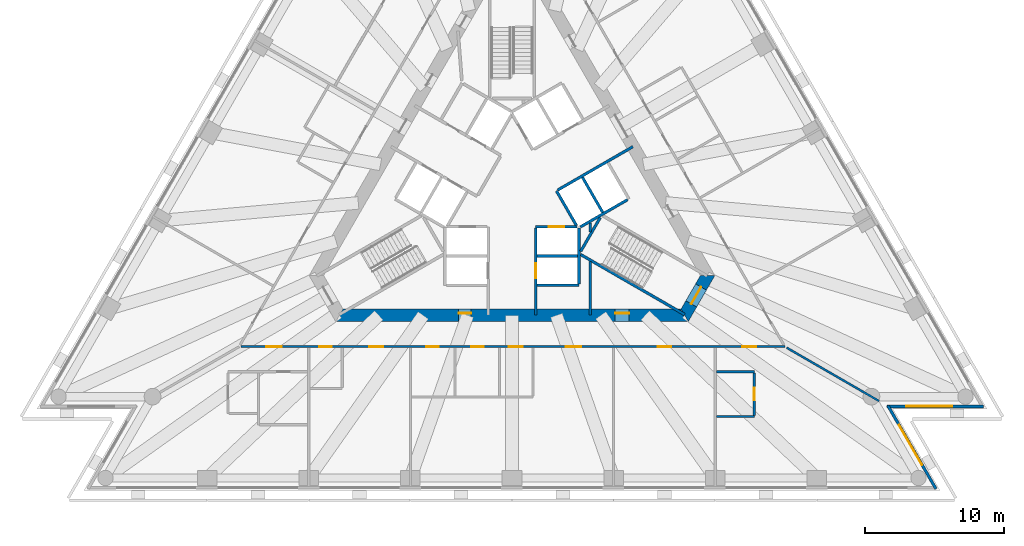
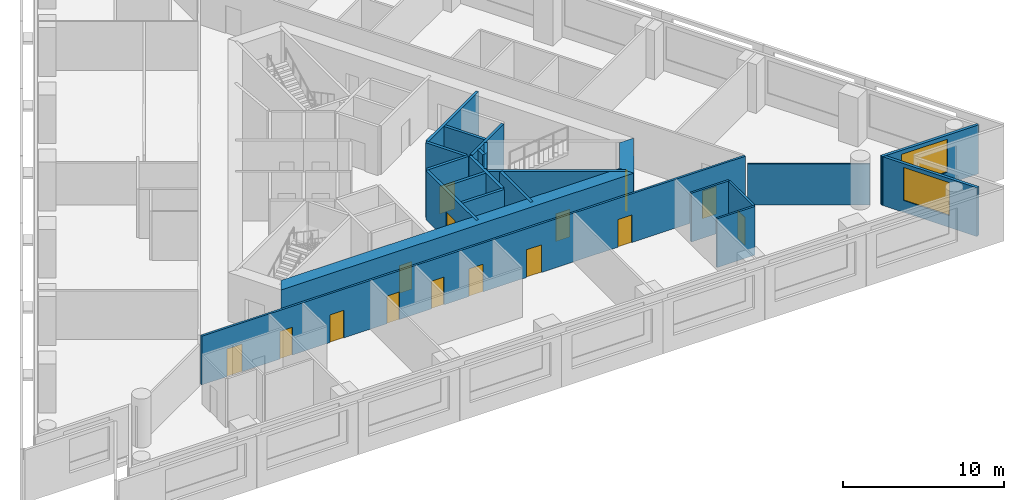
# One storey, part 5 of 11: 22 walls, 15 doors, 2 windows, 17 openings.
"""IFC4 building model written with IfcOpenShell, lengths in metres."""

from ifc_helpers import new_model, si_unit, direction, frame, frame_2d, origin, place, context, subcontext, project, spatial, polyline, rectangle, outline, extrude, material, layer, layer_set, layer_usage, type_object, element, fill, save


model = new_model("IFC4")

# Units and contexts
model_context = context("Model", 3, precision=1e-05, world=origin(), true_north=direction((0.0, 1.0)))
body_context = subcontext(model_context, "Body", "Model", "MODEL_VIEW")
ifc_project = project(units=[si_unit("LENGTHUNIT", "METRE"), si_unit("AREAUNIT", "SQUARE_METRE"), si_unit("VOLUMEUNIT", "CUBIC_METRE"), si_unit("PLANEANGLEUNIT", "RADIAN"), si_unit("MASSUNIT", "GRAM", prefix="KILO")], contexts=[model_context])

# Site, building, storey
site_placement = place(None, origin())
site = spatial("IfcSite", under=ifc_project, at=site_placement, CompositionType="ELEMENT")
building_placement = place(site_placement, origin())
building = spatial("IfcBuilding", under=site, at=building_placement, Name="Triada Interchange Tower", CompositionType="ELEMENT")
storey_placement = place(building_placement, frame((0.0, 0.0, 79.300048828125)))
storey = spatial("IfcBuildingStorey", under=building, at=storey_placement, Name="L17", CompositionType="ELEMENT", Elevation=79.300048828125)

# Walls
ifc_material_1 = material(Name="Concrete C30/37", Category="concrete")
ifc_layer_1 = layer(ifc_material_1, 0.199951171875)
ifc_layer_set_1 = layer_set([ifc_layer_1], Name="CORE WALL 200 EI 120")
wall_type_1 = type_object("IfcWallType", Name="CORE WALL 200 EI 120", PredefinedType="SOLIDWALL", material=ifc_layer_set_1)
wall_1_placement = place(storey_placement, frame((1.800048828125, -4.800048828125, 0.0), z_axis=(0.0, 0.0, 1.0), x_axis=(1.0, 0.0, 0.0)))
element("IfcWall", 1, at=wall_1_placement, inside=storey, type_object=wall_type_1, Name="Wall L15 55", PredefinedType="SOLIDWALL", context=body_context, shape_type="SweptSolid", body=[
    extrude(rectangle(XDim=2.89990234375, YDim=0.199951171875, at=frame_2d((1.449951171875, 0.0))), origin(), (0.0, 0.0, 1.0), 3.699951171875),
])
wall_2_placement = place(storey_placement, frame((1.800048828125, -6.89990234375, 0.0), z_axis=(0.0, 0.0, 1.0), x_axis=(1.0, 0.0, 0.0)))
element("IfcWall", 2, at=wall_2_placement, inside=storey, type_object=wall_type_1, Name="Wall L15 58", PredefinedType="SOLIDWALL", context=body_context, shape_type="SweptSolid", body=[
    extrude(rectangle(XDim=3.0, YDim=0.199951171875, at=frame_2d((1.5, 0.0))), origin(), (0.0, 0.0, 1.0), 3.699951171875),
])

# Wall, opening, door
wall_3_placement = place(storey_placement, frame((1.702880859375, -2.699951171875, 0.0), z_axis=(0.0, 0.0, 1.0), x_axis=(1.0, 0.0, 0.0)))
wall_3 = element("IfcWall", 3, at=wall_3_placement, inside=storey, type_object=wall_type_1, Name="Wall L15 61", PredefinedType="SOLIDWALL", context=body_context, shape_type="SweptSolid", body=[
    extrude(rectangle(XDim=2.97314453125, YDim=0.199951171875, at=frame_2d((1.486572265625, 0.0))), origin(), (0.0, 0.0, 1.0), 3.699951171875),
])
opening_1_placement = place(wall_3_placement, frame((0.93603515625, 0.0, 0.0)))
opening_1 = element("IfcOpeningElement", 4, at=opening_1_placement, cuts=wall_3, Name="Opening LD-LR1", PredefinedType="OPENING", context=body_context, shape_type="SweptSolid", body=[
    extrude(rectangle(XDim=1.10009765625, YDim=2.10009765625, at=frame_2d((0.550048828125, 1.050048828125))), frame((0.0, 0.10986328125, 0.0), z_axis=(0.0, -1.0, 0.0), x_axis=(1.0, 0.0, 0.0)), (0.0, 0.0, 1.0), 0.219970703125),
])
ifc_material_2 = material(Name="Steel S235 door leaf", Category="steel")
door_type_1 = type_object("IfcDoorType", Name="LIFT LANDING DOOR 1100 EI 120", OperationType="SLIDING_TO_LEFT", PredefinedType="DOOR", material=ifc_material_2)
door_1_placement = place(opening_1_placement, origin())
door_1 = element("IfcDoor", 5, at=door_1_placement, inside=storey, type_object=door_type_1, Name="LR1 landing door L17", OperationType="SLIDING_TO_LEFT", OverallHeight=2.10009765625, OverallWidth=1.10009765625, PredefinedType="DOOR", context=body_context, shape_type="SweptSolid", body=[
    extrude(rectangle(XDim=1.10009765625, YDim=2.10009765625, at=frame_2d((0.550048828125, 1.050048828125))), frame((0.0, 0.02490234375, 0.0), z_axis=(0.0, -1.0, 0.0), x_axis=(1.0, 0.0, 0.0)), (0.0, 0.0, 1.0), 0.050048828125),
])
fill(opening_1, door_1)

# Wall
wall_4_placement = place(storey_placement, frame((3.18994140625, -0.125, 0.0), z_axis=(0.0, 0.0, 1.0), x_axis=(0.499988658015, -0.866031951983, 0.0)))
element("IfcWall", 6, at=wall_4_placement, inside=storey, type_object=wall_type_1, Name="Wall L15 64", PredefinedType="SOLIDWALL", context=body_context, shape_type="SweptSolid", body=[
    extrude(rectangle(XDim=2.85791015625, YDim=0.199951171875, at=frame_2d((1.428955078125, 0.0))), origin(), (0.0, 0.0, 1.0), 3.699951171875),
])

# Wall, opening, door
wall_5_placement = place(storey_placement, frame((1.699951171875, -9.030029296875, 0.0), z_axis=(0.0, 0.0, 1.0), x_axis=(0.0, 1.0, 0.0)))
wall_5 = element("IfcWall", 7, at=wall_5_placement, inside=storey, type_object=wall_type_1, Name="Wall L15 66", PredefinedType="SOLIDWALL", context=body_context, shape_type="SweptSolid", body=[
    extrude(rectangle(XDim=6.22705078125, YDim=0.199951171875, at=frame_2d((3.113525390625, 0.0))), origin(), (0.0, 0.0, 1.0), 3.699951171875),
])
opening_2_placement = place(wall_5_placement, frame((2.6298828125, 0.0, 0.0)))
opening_2 = element("IfcOpeningElement", 8, at=opening_2_placement, cuts=wall_5, Name="Opening LD-LR2", PredefinedType="OPENING", context=body_context, shape_type="SweptSolid", body=[
    extrude(rectangle(XDim=1.10009765625, YDim=2.10009765625, at=frame_2d((0.550048828125, 1.050048828125))), frame((0.0, 0.10986328125, 0.0), z_axis=(0.0, -1.0, 0.0), x_axis=(1.0, 0.0, 0.0)), (0.0, 0.0, 1.0), 0.219970703125),
])
door_2_placement = place(opening_2_placement, origin())
door_2 = element("IfcDoor", 9, at=door_2_placement, inside=storey, type_object=door_type_1, Name="LR2 landing door L17", OperationType="SLIDING_TO_LEFT", OverallHeight=2.10009765625, OverallWidth=1.10009765625, PredefinedType="DOOR", context=body_context, shape_type="SweptSolid", body=[
    extrude(rectangle(XDim=1.10009765625, YDim=2.10009765625, at=frame_2d((0.550048828125, 1.050048828125))), frame((0.0, 0.02490234375, 0.0), z_axis=(0.0, -1.0, 0.0), x_axis=(1.0, 0.0, 0.0)), (0.0, 0.0, 1.0), 0.050048828125),
])
fill(opening_2, door_2)

# Walls
wall_6_placement = place(storey_placement, frame((4.800048828125, -6.800048828125, 0.0), z_axis=(0.0, 0.0, 1.0), x_axis=(0.0, 1.0, 0.0)))
element("IfcWall", 10, at=wall_6_placement, inside=storey, type_object=wall_type_1, Name="Wall L15 67", PredefinedType="SOLIDWALL", context=body_context, shape_type="SweptSolid", body=[
    extrude(rectangle(XDim=4.029052734375, YDim=0.199951171875, at=frame_2d((2.0146484375, 0.0))), origin(), (0.0, 0.0, 1.0), 3.699951171875),
])
wall_7_placement = place(storey_placement, frame((3.278076171875, -0.071044921875, 0.0), z_axis=(0.0, 0.0, 1.0), x_axis=(0.865953757655, 0.500124074208, 0.0)))
element("IfcWall", 11, at=wall_7_placement, inside=storey, type_object=wall_type_1, Name="Wall L15 68", PredefinedType="SOLIDWALL", context=body_context, shape_type="SweptSolid", body=[
    extrude(rectangle(XDim=6.2265625, YDim=0.199951171875, at=frame_2d((3.11328125, 0.0))), origin(), (0.0, 0.0, 1.0), 3.699951171875),
])
wall_8_placement = place(storey_placement, frame((5.056884765625, 0.841064453125, 0.0), z_axis=(0.0, 0.0, 1.0), x_axis=(0.50012328804, -0.865954211699, 0.0)))
element("IfcWall", 12, at=wall_8_placement, inside=storey, type_object=wall_type_1, Name="Wall L15 72", PredefinedType="SOLIDWALL", context=body_context, shape_type="SweptSolid", body=[
    extrude(rectangle(XDim=2.899658203125, YDim=0.199951171875, at=frame_2d((1.44970703125, 0.0))), origin(), (0.0, 0.0, 1.0), 3.699951171875),
])
wall_9_placement = place(storey_placement, frame((4.89990234375, -2.714111328125, 0.0), z_axis=(0.0, 0.0, 1.0), x_axis=(0.865992350556, 0.500057245502, 0.0)))
element("IfcWall", 13, at=wall_9_placement, inside=storey, type_object=wall_type_1, Name="Wall L15 73", PredefinedType="SOLIDWALL", context=body_context, shape_type="SweptSolid", body=[
    extrude(rectangle(XDim=3.91357421875, YDim=0.199951171875, at=frame_2d((1.956787109375, 0.0))), origin(), (0.0, 0.0, 1.0), 3.699951171875),
])
ifc_layer_2 = layer(ifc_material_1, 0.199951171875)
ifc_layer_set_2 = layer_set([ifc_layer_2], Name="CORE WALL 200 EI 90")
wall_type_2 = type_object("IfcWallType", Name="CORE WALL 200 EI 90", PredefinedType="SOLIDWALL", material=ifc_layer_set_2)
wall_10_placement = place(storey_placement, frame((5.612060546875, -9.030029296875, 0.0), z_axis=(0.0, 0.0, 1.0), x_axis=(0.0, 1.0, 0.0)))
element("IfcWall", 14, at=wall_10_placement, inside=storey, type_object=wall_type_2, Name="Wall L15 91", PredefinedType="SOLIDWALL", context=body_context, shape_type="SweptSolid", body=[
    extrude(rectangle(XDim=3.8271484375, YDim=0.199951171875, at=frame_2d((1.91357421875, 0.0))), origin(), (0.0, 0.0, 1.0), 3.699951171875),
])
wall_11_placement = place(storey_placement, frame((5.612060546875, -3.080078125, 0.0), z_axis=(0.0, 0.0, 1.0), x_axis=(0.0, 1.0, 0.0)))
element("IfcWall", 15, at=wall_11_placement, inside=storey, type_object=wall_type_2, Name="Wall L15 92", PredefinedType="SOLIDWALL", context=body_context, shape_type="SweptSolid", body=[
    extrude(rectangle(XDim=0.662109375, YDim=0.199951171875, at=frame_2d((0.3310546875, 0.0))), origin(), (0.0, 0.0, 1.0), 3.699951171875),
])
ifc_layer_3 = layer(ifc_material_1, 0.199951171875)
ifc_layer_set_3 = layer_set([ifc_layer_3], Name="CORE WALL 200 REI 240")
wall_type_3 = type_object("IfcWallType", Name="CORE WALL 200 REI 240", PredefinedType="SOLIDWALL", material=ifc_layer_set_3)
wall_12_placement = place(storey_placement, frame((4.928955078125, -4.693115234375, 0.0), z_axis=(0.0, 0.0, 1.0), x_axis=(0.866010975815, -0.500024989144, 0.0)))
element("IfcWall", 16, at=wall_12_placement, inside=storey, type_object=wall_type_3, Name="Wall L15 99", PredefinedType="SOLIDWALL", context=body_context, shape_type="SweptSolid", body=[
    extrude(rectangle(XDim=8.615234375, YDim=0.199951171875, at=frame_2d((4.3076171875, 0.0))), origin(), (0.0, 0.0, 1.0), 3.699951171875),
])
wall_13_placement = place(storey_placement, frame((4.928955078125, -4.4619140625, 0.0), z_axis=(0.0, 0.0, 1.0), x_axis=(0.500200581029, 0.865909567298, 0.0)))
element("IfcWall", 17, at=wall_13_placement, inside=storey, type_object=wall_type_3, Name="Wall L15 100", PredefinedType="SOLIDWALL", context=body_context, shape_type="SweptSolid", body=[
    extrude(rectangle(XDim=2.799072265625, YDim=0.199951171875, at=frame_2d((1.3994140625, 0.0))), origin(), (0.0, 0.0, 1.0), 3.699951171875),
])

# Wall, openings, doors
ifc_material_3 = material(Name="Concrete C70/85", Category="concrete")
ifc_layer_4 = layer(ifc_material_3, 0.89990234375)
ifc_layer_set_4 = layer_set([ifc_layer_4], Name="Core wall A 900")
wall_type_4 = type_object("IfcWallType", Name="Core wall A 900", PredefinedType="SHEAR", material=ifc_layer_set_4)
wall_14_placement = place(storey_placement, frame((-12.384033203125, -9.050048828125, -0.300048828125), z_axis=(0.0, 0.0, 1.0), x_axis=(1.0, 0.0, 0.0)))
wall_14 = element("IfcWall", 18, at=wall_14_placement, inside=storey, type_object=wall_type_4, Name="Core wall WA04 L17", PredefinedType="SHEAR", context=body_context, shape_type="SweptSolid", body=[
    extrude(outline(polyline([(-0.260009765625, -0.449951171875), (1.685302734375, -0.449951171875), (3.63037109375, -0.449951171875), (5.57568359375, -0.449951171875), (7.52099609375, -0.449951171875), (9.466064453125, -0.449951171875), (11.411376953125, -0.449951171875), (13.356689453125, -0.449951171875), (15.302001953125, -0.449951171875), (17.2470703125, -0.449951171875), (19.1923828125, -0.449951171875), (21.1376953125, -0.449951171875), (23.082763671875, -0.449951171875), (25.028076171875, -0.449951171875), (24.508056640625, 0.449951171875), (22.642822265625, 0.449951171875), (20.777587890625, 0.449951171875), (18.912353515625, 0.449951171875), (17.047119140625, 0.449951171875), (15.181884765625, 0.449951171875), (13.316650390625, 0.449951171875), (11.451416015625, 0.449951171875), (9.586181640625, 0.449951171875), (7.720947265625, 0.449951171875), (5.855712890625, 0.449951171875), (3.990478515625, 0.449951171875), (2.125244140625, 0.449951171875), (0.260009765625, 0.449951171875), (-0.260009765625, -0.449951171875)])), origin(), (0.0, 0.0, 1.0), 4.0),
])
opening_3_placement = place(wall_14_placement, frame((8.548095703125, 0.0, 0.300048828125)))
opening_3 = element("IfcOpeningElement", 19, at=opening_3_placement, cuts=wall_14, Name="Opening D15-48", PredefinedType="OPENING", context=body_context, shape_type="SweptSolid", body=[
    extrude(rectangle(XDim=0.89990234375, YDim=2.10009765625, at=frame_2d((0.449951171875, 1.050048828125))), frame((0.0, 0.4599609375, 0.0), z_axis=(0.0, -1.0, 0.0), x_axis=(1.0, 0.0, 0.0)), (0.0, 0.0, 1.0), 0.919921875),
])
opening_4_placement = place(wall_14_placement, frame((19.7880859375, 0.0, 0.300048828125)))
opening_4 = element("IfcOpeningElement", 20, at=opening_4_placement, cuts=wall_14, Name="Opening D15-49", PredefinedType="OPENING", context=body_context, shape_type="SweptSolid", body=[
    extrude(rectangle(XDim=1.0, YDim=2.10009765625, at=frame_2d((0.5, 1.050048828125))), frame((0.0, 0.4599609375, 0.0), z_axis=(0.0, -1.0, 0.0), x_axis=(1.0, 0.0, 0.0)), (0.0, 0.0, 1.0), 0.919921875),
])
door_type_2 = type_object("IfcDoorType", Name="SERVICE DOOR 1000 EI2 45-C5S200", OperationType="NOTDEFINED", PredefinedType="DOOR", material=ifc_material_2)
door_3_placement = place(opening_4_placement, origin())
door_3 = element("IfcDoor", 21, at=door_3_placement, inside=storey, type_object=door_type_2, Name="Door D15-49 L17", OperationType="SINGLE_SWING_LEFT", OverallHeight=2.10009765625, OverallWidth=1.0, PredefinedType="DOOR", context=body_context, shape_type="SweptSolid", body=[
    extrude(rectangle(XDim=1.0, YDim=2.10009765625, at=frame_2d((0.5, 1.050048828125))), frame((0.0, 0.1748046875, 0.0), z_axis=(0.0, -1.0, 0.0), x_axis=(1.0, 0.0, 0.0)), (0.0, 0.0, 1.0), 0.050048828125),
])
fill(opening_4, door_3)
door_type_3 = type_object("IfcDoorType", Name="SERVICE DOOR 900 EI2 45-C5S200", OperationType="NOTDEFINED", PredefinedType="DOOR", material=ifc_material_2)
door_4_placement = place(opening_3_placement, origin())
door_4 = element("IfcDoor", 22, at=door_4_placement, inside=storey, type_object=door_type_3, Name="Door D15-48 L17", OperationType="SINGLE_SWING_LEFT", OverallHeight=2.10009765625, OverallWidth=0.89990234375, PredefinedType="DOOR", context=body_context, shape_type="SweptSolid", body=[
    extrude(rectangle(XDim=0.89990234375, YDim=2.10009765625, at=frame_2d((0.449951171875, 1.050048828125))), frame((0.0, 0.1748046875, 0.0), z_axis=(0.0, -1.0, 0.0), x_axis=(1.0, 0.0, 0.0)), (0.0, 0.0, 1.0), 0.050048828125),
])
fill(opening_3, door_4)

# Wall, opening, door
wall_15_placement = place(storey_placement, frame((12.384033203125, -9.050048828125, -0.300048828125), z_axis=(0.0, 0.0, 1.0), x_axis=(0.500111984565, 0.865960739811, 0.0)))
wall_15 = element("IfcWall", 23, at=wall_15_placement, inside=storey, type_object=wall_type_4, Name="Core wall WA05 L17", PredefinedType="SHEAR", context=body_context, shape_type="SweptSolid", body=[
    extrude(outline(polyline([(-0.260009765625, -0.449951171875), (1.6455078125, -0.449462890625), (3.551025390625, -0.448974609375), (3.031005859375, 0.449951171875), (1.6455078125, 0.449951171875), (0.260009765625, 0.449951171875), (-0.260009765625, -0.449951171875)])), origin(), (0.0, 0.0, 1.0), 4.0),
])
opening_5_placement = place(wall_15_placement, frame((0.946044921875, 0.0, 0.300048828125)))
opening_5 = element("IfcOpeningElement", 24, at=opening_5_placement, cuts=wall_15, Name="Opening D15-46", PredefinedType="OPENING", context=body_context, shape_type="SweptSolid", body=[
    extrude(rectangle(XDim=1.39990234375, YDim=2.10009765625, at=frame_2d((0.699951171875, 1.050048828125))), frame((0.0, 0.4599609375, 0.0), z_axis=(0.0, -1.0, 0.0), x_axis=(1.0, 0.0, 0.0)), (0.0, 0.0, 1.0), 0.919921875),
])
door_type_4 = type_object("IfcDoorType", Name="STAIR DOOR 1400 EI2 90-C5S200", OperationType="DOUBLE_DOOR_SINGLE_SWING", PredefinedType="DOOR", material=ifc_material_2)
door_5_placement = place(opening_5_placement, origin())
door_5 = element("IfcDoor", 25, at=door_5_placement, inside=storey, type_object=door_type_4, Name="Door D15-46 L17", OperationType="DOUBLE_DOOR_SINGLE_SWING", OverallHeight=2.10009765625, OverallWidth=1.39990234375, PredefinedType="DOOR", context=body_context, shape_type="SweptSolid", body=[
    extrude(rectangle(XDim=1.39990234375, YDim=2.10009765625, at=frame_2d((0.699951171875, 1.050048828125))), frame((0.0, 0.02490234375, 0.0), z_axis=(0.0, -1.0, 0.0), x_axis=(1.0, 0.0, 0.0)), (0.0, 0.0, 1.0), 0.050048828125),
])
fill(opening_5, door_5)

# Wall, opening, window
ifc_material_4 = material(Name="Cement board")
ifc_layer_5 = layer(ifc_material_4, 0.02001953125, Name="Cement board cladding")
ifc_material_5 = material(Name="Sheathing board")
ifc_layer_6 = layer(ifc_material_5, 0.014892578125, Name="Sheathing board")
ifc_material_6 = material(Name="Mineral wool")
ifc_layer_7 = layer(ifc_material_6, 0.14990234375, Name="Mineral wool between steel studs")
ifc_material_7 = material(Name="Gypsum board")
ifc_layer_8 = layer(ifc_material_7, 0.014892578125, Name="Plasterboard lining")
ifc_layer_set_5 = layer_set([ifc_layer_5, ifc_layer_6, ifc_layer_7, ifc_layer_8], Name="External wall 200")
ifc_layer_usage = layer_usage(ifc_layer_set_5, "AXIS2", "POSITIVE", -0.10009765625)
wall_type_5 = type_object("IfcWallType", Name="External wall 200", PredefinedType="ELEMENTEDWALL", material=ifc_layer_set_5)
wall_16_placement = place(storey_placement, frame((30.407958984375, -21.5, 0.0), z_axis=(0.0, 0.0, 1.0), x_axis=(-0.499902111801, 0.866081912187, 0.0)))
wall_16 = element("IfcWall", 26, at=wall_16_placement, inside=storey, type_object=wall_type_5, material=ifc_layer_usage, Name="External wall L17 SE-1", PredefinedType="ELEMENTEDWALL", context=body_context, shape_type="SweptSolid", body=[
    extrude(rectangle(XDim=6.9013671875, YDim=0.199951171875, at=frame_2d((3.45068359375, 0.0))), origin(), (0.0, 0.0, 1.0), 3.699951171875),
])
opening_6_placement = place(wall_16_placement, frame((1.989990234375, 0.0, 0.89990234375)))
opening_6 = element("IfcOpeningElement", 27, at=opening_6_placement, cuts=wall_16, Name="Opening WA19", PredefinedType="OPENING", context=body_context, shape_type="SweptSolid", body=[
    extrude(rectangle(XDim=3.300048828125, YDim=2.5, at=frame_2d((1.64990234375, 1.25))), frame((0.0, 0.10986328125, 0.0), z_axis=(0.0, -1.0, 0.0), x_axis=(1.0, 0.0, 0.0)), (0.0, 0.0, 1.0), 0.219970703125),
])
ifc_material_8 = material(Name="Double glazed aluminium window", Category="aluminium")
window_type = type_object("IfcWindowType", Name="Ribbon window A pocket", PartitioningType="SINGLE_PANEL", PredefinedType="WINDOW", material=ifc_material_8)
window_1_placement = place(opening_6_placement, origin())
window_1 = element("IfcWindow", 28, at=window_1_placement, inside=storey, type_object=window_type, Name="Window L17 SE-1 1", OverallHeight=2.5, OverallWidth=3.300048828125, PartitioningType="SINGLE_PANEL", PredefinedType="WINDOW", context=body_context, shape_type="SweptSolid", body=[
    extrude(rectangle(XDim=3.300048828125, YDim=2.5, at=frame_2d((1.64990234375, 1.25))), frame((0.0, 0.030029296875, 0.0), z_axis=(0.0, -1.0, 0.0), x_axis=(1.0, 0.0, 0.0)), (0.0, 0.0, 1.0), 0.06005859375),
])
fill(opening_6, window_1)

wall_17_placement = place(storey_placement, frame((26.903076171875, -15.583984375, 0.0), z_axis=(0.0, 0.0, 1.0), x_axis=(1.0, 0.0, 0.0)))
wall_17 = element("IfcWall", 29, at=wall_17_placement, inside=storey, type_object=wall_type_5, material=ifc_layer_usage, Name="External wall L17 SE-2", PredefinedType="ELEMENTEDWALL", context=body_context, shape_type="SweptSolid", body=[
    extrude(rectangle(XDim=6.90087890625, YDim=0.199951171875, at=frame_2d((3.450439453125, 0.0))), origin(), (0.0, 0.0, 1.0), 3.699951171875),
])
opening_7_placement = place(wall_17_placement, frame((1.389892578125, 0.0, 0.89990234375)))
opening_7 = element("IfcOpeningElement", 30, at=opening_7_placement, cuts=wall_17, Name="Opening WA20", PredefinedType="OPENING", context=body_context, shape_type="SweptSolid", body=[
    extrude(rectangle(XDim=3.300048828125, YDim=2.5, at=frame_2d((1.64990234375, 1.25))), frame((0.0, 0.10986328125, 0.0), z_axis=(0.0, -1.0, 0.0), x_axis=(1.0, 0.0, 0.0)), (0.0, 0.0, 1.0), 0.219970703125),
])
window_2_placement = place(opening_7_placement, origin())
window_2 = element("IfcWindow", 31, at=window_2_placement, inside=storey, type_object=window_type, Name="Window L17 SE-2 1", OverallHeight=2.5, OverallWidth=3.300048828125, PartitioningType="SINGLE_PANEL", PredefinedType="WINDOW", context=body_context, shape_type="SweptSolid", body=[
    extrude(rectangle(XDim=3.300048828125, YDim=2.5, at=frame_2d((1.64990234375, 1.25))), frame((0.0, 0.030029296875, 0.0), z_axis=(0.0, -1.0, 0.0), x_axis=(1.0, 0.0, 0.0)), (0.0, 0.0, 1.0), 0.06005859375),
])
fill(opening_7, window_2)

# Wall, openings, doors
ifc_material_9 = material(Name="Gypsum board partition")
ifc_layer_9 = layer(ifc_material_9, 0.14990234375)
ifc_layer_set_6 = layer_set([ifc_layer_9], Name="PARTITION 150 EI 180")
wall_type_6 = type_object("IfcWallType", Name="PARTITION 150 EI 180", PredefinedType="PARTITIONING", material=ifc_layer_set_6)
wall_18_placement = place(storey_placement, frame((-19.422119140625, -11.300048828125, 0.0), z_axis=(0.0, 0.0, 1.0), x_axis=(1.0, 0.0, 0.0)))
wall_18 = element("IfcWall", 32, at=wall_18_placement, inside=storey, type_object=wall_type_6, Name="Wall L15 4", PredefinedType="PARTITIONING", context=body_context, shape_type="SweptSolid", body=[
    extrude(rectangle(XDim=38.994140625, YDim=0.14990234375, at=frame_2d((19.4970703125, 0.0))), origin(), (0.0, 0.0, 1.0), 3.699951171875),
])
opening_8_placement = place(wall_18_placement, frame((1.800048828125, 0.0, 0.0)))
opening_8 = element("IfcOpeningElement", 33, at=opening_8_placement, cuts=wall_18, Name="Opening D15-11", PredefinedType="OPENING", context=body_context, shape_type="SweptSolid", body=[
    extrude(rectangle(XDim=1.10009765625, YDim=2.10009765625, at=frame_2d((0.550048828125, 1.050048828125))), frame((0.0, 0.0849609375, 0.0), z_axis=(0.0, -1.0, 0.0), x_axis=(1.0, 0.0, 0.0)), (0.0, 0.0, 1.0), 0.169921875),
])
opening_9_placement = place(wall_18_placement, frame((9.197021484375, 0.0, 0.0)))
opening_9 = element("IfcOpeningElement", 34, at=opening_9_placement, cuts=wall_18, Name="Opening D15-14", PredefinedType="OPENING", context=body_context, shape_type="SweptSolid", body=[
    extrude(rectangle(XDim=1.0, YDim=2.10009765625, at=frame_2d((0.5, 1.050048828125))), frame((0.0, 0.0849609375, 0.0), z_axis=(0.0, -1.0, 0.0), x_axis=(1.0, 0.0, 0.0)), (0.0, 0.0, 1.0), 0.169921875),
])
opening_10_placement = place(wall_18_placement, frame((5.596923828125, 0.0, 0.0)))
opening_10 = element("IfcOpeningElement", 35, at=opening_10_placement, cuts=wall_18, Name="Opening D15-15", PredefinedType="OPENING", context=body_context, shape_type="SweptSolid", body=[
    extrude(rectangle(XDim=0.89990234375, YDim=2.10009765625, at=frame_2d((0.449951171875, 1.050048828125))), frame((0.0, 0.0849609375, 0.0), z_axis=(0.0, -1.0, 0.0), x_axis=(1.0, 0.0, 0.0)), (0.0, 0.0, 1.0), 0.169921875),
])
opening_11_placement = place(wall_18_placement, frame((23.283935546875, 0.0, 0.0)))
opening_11 = element("IfcOpeningElement", 36, at=opening_11_placement, cuts=wall_18, Name="Opening D15-16", PredefinedType="OPENING", context=body_context, shape_type="SweptSolid", body=[
    extrude(rectangle(XDim=1.10009765625, YDim=2.10009765625, at=frame_2d((0.550048828125, 1.050048828125))), frame((0.0, 0.0849609375, 0.0), z_axis=(0.0, -1.0, 0.0), x_axis=(1.0, 0.0, 0.0)), (0.0, 0.0, 1.0), 0.169921875),
])
opening_12_placement = place(wall_18_placement, frame((13.283935546875, 0.0, 0.0)))
opening_12 = element("IfcOpeningElement", 37, at=opening_12_placement, cuts=wall_18, Name="Opening D15-17", PredefinedType="OPENING", context=body_context, shape_type="SweptSolid", body=[
    extrude(rectangle(XDim=0.89990234375, YDim=2.10009765625, at=frame_2d((0.449951171875, 1.050048828125))), frame((0.0, 0.0849609375, 0.0), z_axis=(0.0, -1.0, 0.0), x_axis=(1.0, 0.0, 0.0)), (0.0, 0.0, 1.0), 0.169921875),
])
opening_13_placement = place(wall_18_placement, frame((16.48388671875, 0.0, 0.0)))
opening_13 = element("IfcOpeningElement", 38, at=opening_13_placement, cuts=wall_18, Name="Opening D15-18", PredefinedType="OPENING", context=body_context, shape_type="SweptSolid", body=[
    extrude(rectangle(XDim=0.89990234375, YDim=2.10009765625, at=frame_2d((0.449951171875, 1.050048828125))), frame((0.0, 0.0849609375, 0.0), z_axis=(0.0, -1.0, 0.0), x_axis=(1.0, 0.0, 0.0)), (0.0, 0.0, 1.0), 0.169921875),
])
opening_14_placement = place(wall_18_placement, frame((19.18408203125, 0.0, 0.0)))
opening_14 = element("IfcOpeningElement", 39, at=opening_14_placement, cuts=wall_18, Name="Opening D15-19", PredefinedType="OPENING", context=body_context, shape_type="SweptSolid", body=[
    extrude(rectangle(XDim=1.0, YDim=2.10009765625, at=frame_2d((0.5, 1.050048828125))), frame((0.0, 0.0849609375, 0.0), z_axis=(0.0, -1.0, 0.0), x_axis=(1.0, 0.0, 0.0)), (0.0, 0.0, 1.0), 0.169921875),
])
opening_15_placement = place(wall_18_placement, frame((29.860107421875, 0.0, 0.0)))
opening_15 = element("IfcOpeningElement", 40, at=opening_15_placement, cuts=wall_18, Name="Opening D15-20", PredefinedType="OPENING", context=body_context, shape_type="SweptSolid", body=[
    extrude(rectangle(XDim=1.0, YDim=2.10009765625, at=frame_2d((0.5, 1.050048828125))), frame((0.0, 0.0849609375, 0.0), z_axis=(0.0, -1.0, 0.0), x_axis=(1.0, 0.0, 0.0)), (0.0, 0.0, 1.0), 0.169921875),
])
opening_16_placement = place(wall_18_placement, frame((35.947021484375, 0.0, 0.0)))
opening_16 = element("IfcOpeningElement", 41, at=opening_16_placement, cuts=wall_18, Name="Opening D15-21", PredefinedType="OPENING", context=body_context, shape_type="SweptSolid", body=[
    extrude(rectangle(XDim=1.0, YDim=2.10009765625, at=frame_2d((0.5, 1.050048828125))), frame((0.0, 0.0849609375, 0.0), z_axis=(0.0, -1.0, 0.0), x_axis=(1.0, 0.0, 0.0)), (0.0, 0.0, 1.0), 0.169921875),
])
door_type_5 = type_object("IfcDoorType", Name="ROOM DOOR 1000 EI2 90-C5S200", OperationType="NOTDEFINED", PredefinedType="DOOR", material=ifc_material_2)
door_6_placement = place(opening_9_placement, origin())
door_6 = element("IfcDoor", 42, at=door_6_placement, inside=storey, type_object=door_type_5, Name="Door D15-14 L17", OperationType="SINGLE_SWING_RIGHT", OverallHeight=2.10009765625, OverallWidth=1.0, PredefinedType="DOOR", context=body_context, shape_type="SweptSolid", body=[
    extrude(rectangle(XDim=1.0, YDim=2.10009765625, at=frame_2d((0.5, 1.050048828125))), frame((0.0, 0.02490234375, 0.0), z_axis=(0.0, -1.0, 0.0), x_axis=(1.0, 0.0, 0.0)), (0.0, 0.0, 1.0), 0.050048828125),
])
fill(opening_9, door_6)
door_7_placement = place(opening_14_placement, origin())
door_7 = element("IfcDoor", 43, at=door_7_placement, inside=storey, type_object=door_type_5, Name="Door D15-19 L17", OperationType="SINGLE_SWING_LEFT", OverallHeight=2.10009765625, OverallWidth=1.0, PredefinedType="DOOR", context=body_context, shape_type="SweptSolid", body=[
    extrude(rectangle(XDim=1.0, YDim=2.10009765625, at=frame_2d((0.5, 1.050048828125))), frame((0.0, 0.02490234375, 0.0), z_axis=(0.0, -1.0, 0.0), x_axis=(1.0, 0.0, 0.0)), (0.0, 0.0, 1.0), 0.050048828125),
])
fill(opening_14, door_7)
door_8_placement = place(opening_15_placement, origin())
door_8 = element("IfcDoor", 44, at=door_8_placement, inside=storey, type_object=door_type_5, Name="Door D15-20 L17", OperationType="SINGLE_SWING_RIGHT", OverallHeight=2.10009765625, OverallWidth=1.0, PredefinedType="DOOR", context=body_context, shape_type="SweptSolid", body=[
    extrude(rectangle(XDim=1.0, YDim=2.10009765625, at=frame_2d((0.5, 1.050048828125))), frame((0.0, 0.02490234375, 0.0), z_axis=(0.0, -1.0, 0.0), x_axis=(1.0, 0.0, 0.0)), (0.0, 0.0, 1.0), 0.050048828125),
])
fill(opening_15, door_8)
door_9_placement = place(opening_16_placement, origin())
door_9 = element("IfcDoor", 45, at=door_9_placement, inside=storey, type_object=door_type_5, Name="Door D15-21 L17", OperationType="SINGLE_SWING_LEFT", OverallHeight=2.10009765625, OverallWidth=1.0, PredefinedType="DOOR", context=body_context, shape_type="SweptSolid", body=[
    extrude(rectangle(XDim=1.0, YDim=2.10009765625, at=frame_2d((0.5, 1.050048828125))), frame((0.0, 0.02490234375, 0.0), z_axis=(0.0, -1.0, 0.0), x_axis=(1.0, 0.0, 0.0)), (0.0, 0.0, 1.0), 0.050048828125),
])
fill(opening_16, door_9)
door_type_6 = type_object("IfcDoorType", Name="ROOM DOOR 900 EI2 90-C5S200", OperationType="NOTDEFINED", PredefinedType="DOOR", material=ifc_material_2)
door_10_placement = place(opening_12_placement, origin())
door_10 = element("IfcDoor", 46, at=door_10_placement, inside=storey, type_object=door_type_6, Name="Door D15-17 L17", OperationType="SINGLE_SWING_RIGHT", OverallHeight=2.10009765625, OverallWidth=0.89990234375, PredefinedType="DOOR", context=body_context, shape_type="SweptSolid", body=[
    extrude(rectangle(XDim=0.89990234375, YDim=2.10009765625, at=frame_2d((0.449951171875, 1.050048828125))), frame((0.0, 0.02490234375, 0.0), z_axis=(0.0, -1.0, 0.0), x_axis=(1.0, 0.0, 0.0)), (0.0, 0.0, 1.0), 0.050048828125),
])
fill(opening_12, door_10)
door_11_placement = place(opening_13_placement, origin())
door_11 = element("IfcDoor", 47, at=door_11_placement, inside=storey, type_object=door_type_6, Name="Door D15-18 L17", OperationType="SINGLE_SWING_RIGHT", OverallHeight=2.10009765625, OverallWidth=0.89990234375, PredefinedType="DOOR", context=body_context, shape_type="SweptSolid", body=[
    extrude(rectangle(XDim=0.89990234375, YDim=2.10009765625, at=frame_2d((0.449951171875, 1.050048828125))), frame((0.0, 0.02490234375, 0.0), z_axis=(0.0, -1.0, 0.0), x_axis=(1.0, 0.0, 0.0)), (0.0, 0.0, 1.0), 0.050048828125),
])
fill(opening_13, door_11)
door_type_7 = type_object("IfcDoorType", Name="SERVICE DOOR 900 EI2 90-C5S200", OperationType="NOTDEFINED", PredefinedType="DOOR", material=ifc_material_2)
door_12_placement = place(opening_10_placement, origin())
door_12 = element("IfcDoor", 48, at=door_12_placement, inside=storey, type_object=door_type_7, Name="Door D15-15 L17", OperationType="SINGLE_SWING_RIGHT", OverallHeight=2.10009765625, OverallWidth=0.89990234375, PredefinedType="DOOR", context=body_context, shape_type="SweptSolid", body=[
    extrude(rectangle(XDim=0.89990234375, YDim=2.10009765625, at=frame_2d((0.449951171875, 1.050048828125))), frame((0.0, 0.02490234375, 0.0), z_axis=(0.0, -1.0, 0.0), x_axis=(1.0, 0.0, 0.0)), (0.0, 0.0, 1.0), 0.050048828125),
])
fill(opening_10, door_12)
door_type_8 = type_object("IfcDoorType", Name="TENANCY ENTRANCE DOOR 1100 EI2 90-C5S200", OperationType="NOTDEFINED", PredefinedType="DOOR", material=ifc_material_2)
door_13_placement = place(opening_8_placement, origin())
door_13 = element("IfcDoor", 49, at=door_13_placement, inside=storey, type_object=door_type_8, Name="Door D15-11 L17", OperationType="SINGLE_SWING_RIGHT", OverallHeight=2.10009765625, OverallWidth=1.10009765625, PredefinedType="DOOR", context=body_context, shape_type="SweptSolid", body=[
    extrude(rectangle(XDim=1.10009765625, YDim=2.10009765625, at=frame_2d((0.550048828125, 1.050048828125))), frame((0.0, 0.02490234375, 0.0), z_axis=(0.0, -1.0, 0.0), x_axis=(1.0, 0.0, 0.0)), (0.0, 0.0, 1.0), 0.050048828125),
])
fill(opening_8, door_13)
door_14_placement = place(opening_11_placement, origin())
door_14 = element("IfcDoor", 50, at=door_14_placement, inside=storey, type_object=door_type_8, Name="Door D15-16 L17", OperationType="SINGLE_SWING_RIGHT", OverallHeight=2.10009765625, OverallWidth=1.10009765625, PredefinedType="DOOR", context=body_context, shape_type="SweptSolid", body=[
    extrude(rectangle(XDim=1.10009765625, YDim=2.10009765625, at=frame_2d((0.550048828125, 1.050048828125))), frame((0.0, 0.02490234375, 0.0), z_axis=(0.0, -1.0, 0.0), x_axis=(1.0, 0.0, 0.0)), (0.0, 0.0, 1.0), 0.050048828125),
])
fill(opening_11, door_14)

# Walls
wall_19_placement = place(storey_placement, frame((19.701904296875, -11.375, 0.0), z_axis=(0.0, 0.0, 1.0), x_axis=(0.866029632557, -0.499992675479, 0.0)))
element("IfcWall", 51, at=wall_19_placement, inside=storey, type_object=wall_type_6, Name="Wall L15 6", PredefinedType="PARTITIONING", context=body_context, shape_type="SweptSolid", body=[
    extrude(rectangle(XDim=7.63818359375, YDim=0.14990234375, at=frame_2d((3.819091796875, 0.0))), origin(), (0.0, 0.0, 1.0), 3.099853515625),
])
ifc_layer_10 = layer(ifc_material_9, 0.14990234375)
ifc_layer_set_7 = layer_set([ifc_layer_10], Name="PARTITION 150 EI 90")
wall_type_7 = type_object("IfcWallType", Name="PARTITION 150 EI 90", PredefinedType="PARTITIONING", material=ifc_layer_set_7)
for number, where, z_axis, x_axis, name in (
    (52, (14.64990234375, -13.10009765625, 0.0), (0.0, 0.0, 1.0), (1.0, 0.0, 0.0), "Wall L15 36"),
    (53, (14.64990234375, -16.300048828125, 0.0), (0.0, 0.0, 1.0), (1.0, 0.0, 0.0), "Wall L15 50"),
):
    element("IfcWall", number, at=place(storey_placement, frame(where, z_axis=z_axis, x_axis=x_axis)), inside=storey, type_object=wall_type_7, Name=name, PredefinedType="PARTITIONING", context=body_context, shape_type="SweptSolid", body=[
        extrude(rectangle(XDim=2.72509765625, YDim=0.14990234375, at=frame_2d((1.362548828125, 0.0))), origin(), (0.0, 0.0, 1.0), 3.699951171875),
    ])

# Wall, opening, door
wall_20_placement = place(storey_placement, frame((17.375, -16.22509765625, 0.0), z_axis=(0.0, 0.0, 1.0), x_axis=(0.0, 1.0, 0.0)))
wall_20 = element("IfcWall", 54, at=wall_20_placement, inside=storey, type_object=wall_type_7, Name="Wall L15 51", PredefinedType="PARTITIONING", context=body_context, shape_type="SweptSolid", body=[
    extrude(rectangle(XDim=3.050048828125, YDim=0.14990234375, at=frame_2d((1.52490234375, 0.0))), origin(), (0.0, 0.0, 1.0), 3.699951171875),
])
opening_17_placement = place(wall_20_placement, frame((1.074951171875, 0.0, 0.0)))
opening_17 = element("IfcOpeningElement", 55, at=opening_17_placement, cuts=wall_20, Name="Opening D15-22", PredefinedType="OPENING", context=body_context, shape_type="SweptSolid", body=[
    extrude(rectangle(XDim=0.89990234375, YDim=2.10009765625, at=frame_2d((0.449951171875, 1.050048828125))), frame((0.0, 0.0849609375, 0.0), z_axis=(0.0, -1.0, 0.0), x_axis=(1.0, 0.0, 0.0)), (0.0, 0.0, 1.0), 0.169921875),
])
door_type_9 = type_object("IfcDoorType", Name="ROOM DOOR 900 EI2 45-C5S200", OperationType="NOTDEFINED", PredefinedType="DOOR", material=ifc_material_2)
door_15_placement = place(opening_17_placement, origin())
door_15 = element("IfcDoor", 56, at=door_15_placement, inside=storey, type_object=door_type_9, Name="Door D15-22 L17", OperationType="SINGLE_SWING_RIGHT", OverallHeight=2.10009765625, OverallWidth=0.89990234375, PredefinedType="DOOR", context=body_context, shape_type="SweptSolid", body=[
    extrude(rectangle(XDim=0.89990234375, YDim=2.10009765625, at=frame_2d((0.449951171875, 1.050048828125))), frame((0.0, 0.02490234375, 0.0), z_axis=(0.0, -1.0, 0.0), x_axis=(1.0, 0.0, 0.0)), (0.0, 0.0, 1.0), 0.050048828125),
])
fill(opening_17, door_15)

save(model, "model.ifc")
